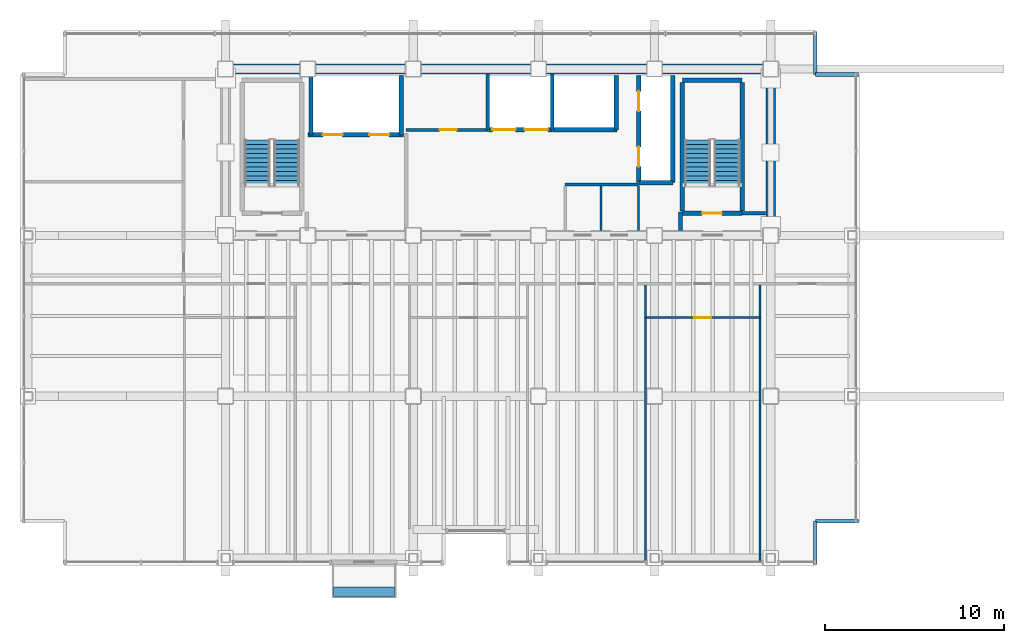
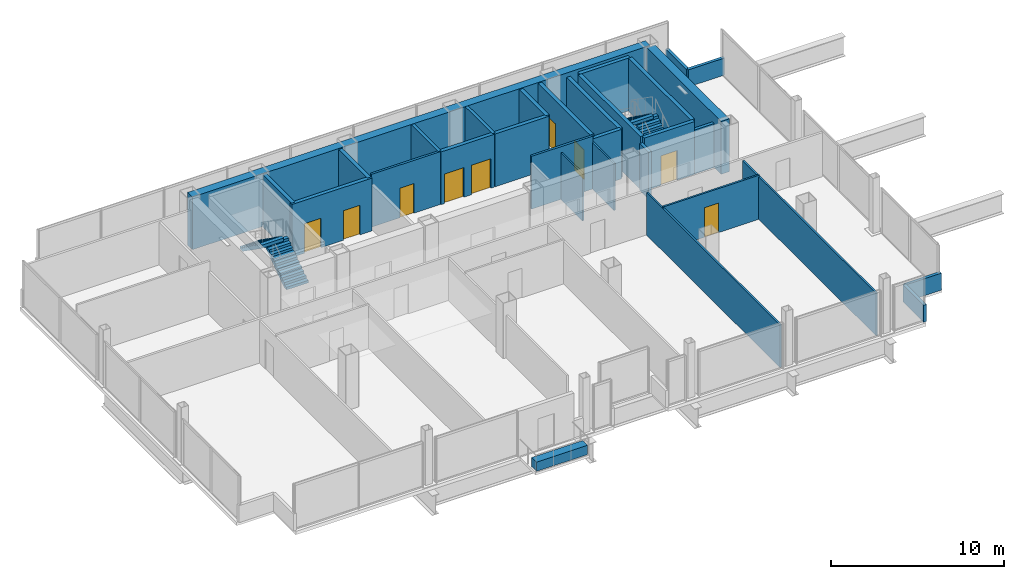
# One storey, part 23 of 24: 30 walls, 9 doors, 4 stair flights, 1 discrete accessory, 9 openings, 2 elements without a shape of their own.
"""IFC4 building model written with IfcOpenShell, lengths in metres."""

from ifc_helpers import new_model, si_unit, direction, frame, frame_2d, origin, origin_2d, place, context, subcontext, project, spatial, polyline, rectangle, outline, extrude, material, layer, layer_set, type_object, element, fill, aggregate, save


model = new_model("IFC4")

# Units and contexts
model_context = context("Model", 3, precision=1e-05, world=origin(), true_north=direction((0.0, 1.0)))
body_context = subcontext(model_context, "Body", "Model", "MODEL_VIEW")
ifc_project = project(units=[si_unit("LENGTHUNIT", "METRE"), si_unit("AREAUNIT", "SQUARE_METRE"), si_unit("VOLUMEUNIT", "CUBIC_METRE"), si_unit("PLANEANGLEUNIT", "RADIAN"), si_unit("MASSUNIT", "GRAM", prefix="KILO")], contexts=[model_context])

# Site, building, storey
site_placement = place(None, origin())
site = spatial("IfcSite", under=ifc_project, at=site_placement, CompositionType="ELEMENT")
building_placement = place(site_placement, origin())
building = spatial("IfcBuilding", under=site, at=building_placement, Name="Noeulbin Bourse Tower", CompositionType="ELEMENT")
storey_placement = place(building_placement, frame((0.0, 0.0, 114.89990234375)))
storey = spatial("IfcBuildingStorey", under=building, at=storey_placement, Name="L28", CompositionType="ELEMENT", Elevation=114.89990234375)

# Walls
ifc_material_1 = material(Name="Concrete C60/75", Category="concrete")
ifc_layer_1 = layer(ifc_material_1, 0.550048828125)
ifc_layer_set_1 = layer_set([ifc_layer_1], Name="Concrete C60/75")
wall_type_1 = type_object("IfcWallType", Name="WAL-CORE-550", PredefinedType="SHEAR", material=ifc_layer_set_1)
wall_1_placement = place(storey_placement, frame((13.5, 38.300048828125, 0.0), z_axis=(0.0, 0.0, 1.0), x_axis=(1.0, 0.0, 0.0)))
element("IfcWall", 1, at=wall_1_placement, inside=storey, type_object=wall_type_1, Name="Rear Core North Shear Wall L28", PredefinedType="SHEAR", context=body_context, shape_type="SweptSolid", body=[
    extrude(rectangle(XDim=30.5, YDim=0.550048828125, at=frame_2d((15.25, 0.0))), origin(), (0.0, 0.0, 1.0), 3.72021484375),
])
wall_2_placement = place(storey_placement, frame((44.0, 29.35009765625, 0.0), z_axis=(0.0, 0.0, 1.0), x_axis=(0.0, 1.0, 0.0)))
element("IfcWall", 2, at=wall_2_placement, inside=storey, type_object=wall_type_1, Name="Rear Core East Shear Wall L28", PredefinedType="SHEAR", context=body_context, shape_type="SweptSolid", body=[
    extrude(rectangle(XDim=8.599853515625, YDim=0.550048828125, at=frame_2d((4.2998046875, 0.0))), origin(), (0.0, 0.0, 1.0), 3.72021484375),
])
ifc_material_2 = material(Name="Concrete C40/50", Category="concrete")
ifc_layer_2 = layer(ifc_material_2, 0.199951171875)
ifc_layer_set_2 = layer_set([ifc_layer_2], Name="Concrete C40/50")
wall_type_2 = type_object("IfcWallType", Name="WAL-FIRE-200", PredefinedType="STANDARD", material=ifc_layer_set_2)
wall_3_placement = place(storey_placement, frame((42.39990234375, 30.239990234375, 0.0), z_axis=(0.0, 0.0, 1.0), x_axis=(1.0, 0.0, 0.0)))
element("IfcWall", 3, at=wall_3_placement, inside=storey, type_object=wall_type_2, Name="Interior Partition Wall L28-01", PredefinedType="STANDARD", context=body_context, shape_type="SweptSolid", body=[
    extrude(rectangle(XDim=1.315185546875, YDim=0.199951171875, at=frame_2d((0.65771484375, 0.0))), origin(), (0.0, 0.0, 1.0), 3.10009765625),
])
wall_4_placement = place(storey_placement, frame((38.949951171875, 29.284912109375, 0.0), z_axis=(0.0, 0.0, 1.0), x_axis=(0.0, 1.0, 0.0)))
element("IfcWall", 4, at=wall_4_placement, inside=storey, type_object=wall_type_2, Name="Interior Partition Wall L28-11", PredefinedType="STANDARD", context=body_context, shape_type="SweptSolid", body=[
    extrude(rectangle(XDim=1.01513671875, YDim=0.199951171875, at=frame_2d((0.507568359375, 0.0))), origin(), (0.0, 0.0, 1.0), 3.300048828125),
])
ifc_layer_3 = layer(ifc_material_2, 0.199951171875)
ifc_layer_set_3 = layer_set([ifc_layer_3], Name="Concrete C40/50")
wall_type_3 = type_object("IfcWallType", Name="WAL-PAR-200", PredefinedType="PARAPET", material=ifc_layer_set_3)
for number, where, z_axis, x_axis, name in (
    (5, (46.5, 10.60009765625, 0.0), (0.0, 0.0, 1.0), (0.0, 1.0, 0.0), "Corner Notch Parapet L28-SE1"),
    (6, (46.5, 13.0, 0.0), (0.0, 0.0, 1.0), (1.0, 0.0, 0.0), "Corner Notch Parapet L28-SE2"),
    (7, (46.5, 40.39990234375, 0.0), (0.0, 0.0, 1.0), (0.0, -1.0, 0.0), "Corner Notch Parapet L28-NE1"),
    (8, (46.5, 38.0, 0.0), (0.0, 0.0, 1.0), (1.0, 0.0, 0.0), "Corner Notch Parapet L28-NE2"),
):
    element("IfcWall", number, at=place(storey_placement, frame(where, z_axis=z_axis, x_axis=x_axis)), inside=storey, type_object=wall_type_3, Name=name, PredefinedType="PARAPET", context=body_context, shape_type="SweptSolid", body=[
        extrude(rectangle(XDim=2.39990234375, YDim=0.199951171875, at=frame_2d((1.199951171875, 0.0))), origin(), (0.0, 0.0, 1.0), 1.2001953125),
    ])

# Wall, opening, door
ifc_material_3 = material(Name="Steel Stud Gypsum Partition", Category="steel")
ifc_layer_4 = layer(ifc_material_3, 0.1201171875)
ifc_layer_set_4 = layer_set([ifc_layer_4], Name="Steel Stud Gypsum Partition")
wall_type_4 = type_object("IfcWallType", Name="WAL-PRT-120", PredefinedType="PARTITIONING", material=ifc_layer_set_4)
wall_5_placement = place(storey_placement, frame((37.0, 24.39990234375, 0.0), z_axis=(0.0, 0.0, 1.0), x_axis=(1.0, 0.0, 0.0)))
wall_5 = element("IfcWall", 9, at=wall_5_placement, inside=storey, type_object=wall_type_4, Name="Interior Partition Wall L28-08", PredefinedType="PARTITIONING", context=body_context, shape_type="SweptSolid", body=[
    extrude(rectangle(XDim=6.39990234375, YDim=0.1201171875, at=frame_2d((3.199951171875, 0.0))), origin(), (0.0, 0.0, 1.0), 3.10009765625),
])
opening_1_placement = place(wall_5_placement, frame((2.72509765625, 0.0, 0.0)))
opening_1 = element("IfcOpeningElement", 10, at=opening_1_placement, cuts=wall_5, Name="Opening ID-09", PredefinedType="OPENING", context=body_context, shape_type="SweptSolid", body=[
    extrude(rectangle(XDim=0.949951171875, YDim=2.080078125, at=frame_2d((0.47509765625, 1.0400390625))), frame((0.0, 0.070068359375, 0.0), z_axis=(0.0, -1.0, 0.0), x_axis=(1.0, 0.0, 0.0)), (0.0, 0.0, 1.0), 0.14013671875),
])
ifc_material_4 = material(Name="Acoustic Solid-Core Timber", Category="wood")
door_type_1 = type_object("IfcDoorType", Name="DR-SINGLE-950", OperationType="SINGLE_SWING_LEFT", PredefinedType="DOOR", material=ifc_material_4)
door_1_placement = place(opening_1_placement, origin())
door_1 = element("IfcDoor", 11, at=door_1_placement, inside=storey, type_object=door_type_1, Name="Interior Door L28-15", OperationType="SINGLE_SWING_LEFT", OverallHeight=2.080078125, OverallWidth=0.949951171875, PredefinedType="DOOR", context=body_context, shape_type="SweptSolid", body=[
    extrude(rectangle(XDim=0.949951171875, YDim=2.080078125, at=frame_2d((0.47509765625, 1.0400390625))), frame((0.0, 0.02490234375, 0.0), z_axis=(0.0, -1.0, 0.0), x_axis=(1.0, 0.0, 0.0)), (0.0, 0.0, 1.0), 0.050048828125),
])
fill(opening_1, door_1)

# Walls
for number, where, z_axis, x_axis, name in (
    (12, (36.60009765625, 29.284912109375, 0.0), (0.0, 0.0, 1.0), (0.0, 1.0, 0.0), "Interior Partition Wall L28-14"),
    (13, (34.5, 29.284912109375, 0.0), (0.0, 0.0, 1.0), (0.0, 1.0, 0.0), "Interior Partition Wall L28-15"),
):
    element("IfcWall", number, at=place(storey_placement, frame(where, z_axis=z_axis, x_axis=x_axis)), inside=storey, type_object=wall_type_4, Name=name, PredefinedType="PARTITIONING", context=body_context, shape_type="SweptSolid", body=[
        extrude(rectangle(XDim=2.47998046875, YDim=0.1201171875, at=frame_2d((1.239990234375, 0.0))), origin(), (0.0, 0.0, 1.0), 3.300048828125),
    ])
for number, where, z_axis, x_axis, name in (
    (14, (37.0, 10.81005859375, 0.0), (0.0, 0.0, 1.0), (0.0, 1.0, 0.0), "Interior Partition Wall L28-21"),
    (15, (43.39990234375, 10.81005859375, 0.0), (0.0, 0.0, 1.0), (0.0, 1.0, 0.0), "Interior Partition Wall L28-22"),
):
    element("IfcWall", number, at=place(storey_placement, frame(where, z_axis=z_axis, x_axis=x_axis)), inside=storey, type_object=wall_type_4, Name=name, PredefinedType="PARTITIONING", context=body_context, shape_type="SweptSolid", body=[
        extrude(rectangle(XDim=15.405029296875, YDim=0.1201171875, at=frame_2d((7.70263671875, 0.0))), origin(), (0.0, 0.0, 1.0), 3.0),
    ])

# Wall, opening, door
ifc_material_5 = material(Name="Steel Stud Acoustic Gypsum Board", Category="steel")
ifc_layer_5 = layer(ifc_material_5, 0.14990234375)
ifc_layer_set_5 = layer_set([ifc_layer_5], Name="Steel Stud Acoustic Gypsum Board")
wall_type_5 = type_object("IfcWallType", Name="WAL-PRT-150", PredefinedType="PARTITIONING", material=ifc_layer_set_5)
wall_6_placement = place(storey_placement, frame((23.60009765625, 34.89990234375, 0.0), z_axis=(0.0, 0.0, 1.0), x_axis=(1.0, 0.0, 0.0)))
wall_6 = element("IfcWall", 16, at=wall_6_placement, inside=storey, type_object=wall_type_5, Name="Interior Partition Wall L28-02", PredefinedType="PARTITIONING", context=body_context, shape_type="SweptSolid", body=[
    extrude(rectangle(XDim=4.579833984375, YDim=0.14990234375, at=frame_2d((2.2900390625, 0.0))), origin(), (0.0, 0.0, 1.0), 3.72021484375),
])
opening_2_placement = place(wall_6_placement, frame((1.875, 0.0, 0.0)))
opening_2 = element("IfcOpeningElement", 17, at=opening_2_placement, cuts=wall_6, Name="Opening ID-09", PredefinedType="OPENING", context=body_context, shape_type="SweptSolid", body=[
    extrude(rectangle(XDim=0.949951171875, YDim=2.080078125, at=frame_2d((0.47509765625, 1.0400390625))), frame((0.0, 0.0849609375, 0.0), z_axis=(0.0, -1.0, 0.0), x_axis=(1.0, 0.0, 0.0)), (0.0, 0.0, 1.0), 0.169921875),
])
door_2_placement = place(opening_2_placement, origin())
door_2 = element("IfcDoor", 18, at=door_2_placement, inside=storey, type_object=door_type_1, Name="Archive Room Door L28", OperationType="SINGLE_SWING_LEFT", OverallHeight=2.080078125, OverallWidth=0.949951171875, PredefinedType="DOOR", context=body_context, shape_type="SweptSolid", body=[
    extrude(rectangle(XDim=0.949951171875, YDim=2.080078125, at=frame_2d((0.47509765625, 1.0400390625))), frame((0.0, 0.02490234375, 0.0), z_axis=(0.0, -1.0, 0.0), x_axis=(1.0, 0.0, 0.0)), (0.0, 0.0, 1.0), 0.050048828125),
])
fill(opening_2, door_2)

# Wall
wall_7_placement = place(storey_placement, frame((32.5, 31.85009765625, 0.0), z_axis=(0.0, 0.0, 1.0), x_axis=(1.0, 0.0, 0.0)))
element("IfcWall", 19, at=wall_7_placement, inside=storey, type_object=wall_type_5, Name="Interior Partition Wall L28-03", PredefinedType="PARTITIONING", context=body_context, shape_type="SweptSolid", body=[
    extrude(rectangle(XDim=4.10009765625, YDim=0.14990234375, at=frame_2d((2.050048828125, 0.0))), origin(), (0.0, 0.0, 1.0), 3.72021484375),
])

# Wall, opening, door
ifc_layer_6 = layer(ifc_material_2, 0.25)
ifc_layer_set_6 = layer_set([ifc_layer_6], Name="Concrete C40/50")
wall_type_6 = type_object("IfcWallType", Name="WAL-SHFT-250", PredefinedType="STANDARD", material=ifc_layer_set_6)
wall_8_placement = place(storey_placement, frame((39.06005859375, 30.235107421875, 0.0), z_axis=(0.0, 0.0, 1.0), x_axis=(1.0, 0.0, 0.0)))
wall_8 = element("IfcWall", 20, at=wall_8_placement, inside=storey, type_object=wall_type_6, Name="Stair ST-2 South Shaft Wall L28", PredefinedType="STANDARD", context=body_context, shape_type="SweptSolid", body=[
    extrude(rectangle(XDim=3.33984375, YDim=0.25, at=frame_2d((1.669921875, 0.0))), origin(), (0.0, 0.0, 1.0), 3.72021484375),
])
opening_3_placement = place(wall_8_placement, frame((1.10009765625, 0.0, 0.0)))
opening_3 = element("IfcOpeningElement", 21, at=opening_3_placement, cuts=wall_8, Name="Opening FD-11", PredefinedType="OPENING", context=body_context, shape_type="SweptSolid", body=[
    extrude(rectangle(XDim=1.10009765625, YDim=2.080078125, at=frame_2d((0.550048828125, 1.0400390625))), frame((0.0, 0.135009765625, 0.0), z_axis=(0.0, -1.0, 0.0), x_axis=(1.0, 0.0, 0.0)), (0.0, 0.0, 1.0), 0.27001953125),
])
ifc_material_6 = material(Name="Fire-Rated Insulated Steel", Category="steel")
door_type_2 = type_object("IfcDoorType", Name="DR-FD60-1100", OperationType="SINGLE_SWING_LEFT", PredefinedType="DOOR", material=ifc_material_6)
door_3_placement = place(opening_3_placement, origin())
door_3 = element("IfcDoor", 22, at=door_3_placement, inside=storey, type_object=door_type_2, Name="Protected Stair Entry Door ST2-L28", OperationType="SINGLE_SWING_RIGHT", OverallHeight=2.080078125, OverallWidth=1.10009765625, PredefinedType="DOOR", context=body_context, shape_type="SweptSolid", body=[
    extrude(rectangle(XDim=1.10009765625, YDim=2.080078125, at=frame_2d((0.550048828125, 1.0400390625))), frame((0.0, 0.02490234375, 0.0), z_axis=(0.0, -1.0, 0.0), x_axis=(1.0, 0.0, 0.0)), (0.0, 0.0, 1.0), 0.050048828125),
])
fill(opening_3, door_3)

# Walls
wall_9_placement = place(storey_placement, frame((39.06005859375, 37.6689453125, 0.0), z_axis=(0.0, 0.0, 1.0), x_axis=(1.0, 0.0, 0.0)))
element("IfcWall", 23, at=wall_9_placement, inside=storey, type_object=wall_type_6, Name="Stair ST-2 North Shaft Wall L28", PredefinedType="STANDARD", context=body_context, shape_type="SweptSolid", body=[
    extrude(rectangle(XDim=3.33984375, YDim=0.25, at=frame_2d((1.669921875, 0.0))), origin(), (0.0, 0.0, 1.0), 3.72021484375),
])
for number, where, z_axis, x_axis, name in (
    (24, (39.054931640625, 30.360107421875, 0.0), (0.0, 0.0, 1.0), (0.0, 1.0, 0.0), "Stair ST-2 West Shaft Wall L28"),
    (25, (42.405029296875, 30.360107421875, 0.0), (0.0, 0.0, 1.0), (0.0, 1.0, 0.0), "Stair ST-2 East Shaft Wall L28"),
):
    element("IfcWall", number, at=place(storey_placement, frame(where, z_axis=z_axis, x_axis=x_axis)), inside=storey, type_object=wall_type_6, Name=name, PredefinedType="STANDARD", context=body_context, shape_type="SweptSolid", body=[
        extrude(rectangle(XDim=7.183837890625, YDim=0.25, at=frame_2d((3.591796875, 0.0))), origin(), (0.0, 0.0, 1.0), 3.72021484375),
    ])

# Wall, openings, doors
wall_10_placement = place(storey_placement, frame((18.10009765625, 34.6201171875, 0.0), z_axis=(0.0, 0.0, 1.0), x_axis=(1.0, 0.0, 0.0)))
wall_10 = element("IfcWall", 26, at=wall_10_placement, inside=storey, type_object=wall_type_6, Name="Firefighting Lift Shaft Front L28", PredefinedType="STANDARD", context=body_context, shape_type="SweptSolid", body=[
    extrude(rectangle(XDim=5.349853515625, YDim=0.25, at=frame_2d((2.6748046875, 0.0))), origin(), (0.0, 0.0, 1.0), 3.72021484375),
])
opening_4_placement = place(wall_10_placement, frame((0.85009765625, 0.0, 0.0)))
opening_4 = element("IfcOpeningElement", 27, at=opening_4_placement, cuts=wall_10, Name="Opening LD-11", PredefinedType="OPENING", context=body_context, shape_type="SweptSolid", body=[
    extrude(rectangle(XDim=1.10009765625, YDim=2.080078125, at=frame_2d((0.550048828125, 1.0400390625))), frame((0.0, 0.135009765625, 0.0), z_axis=(0.0, -1.0, 0.0), x_axis=(1.0, 0.0, 0.0)), (0.0, 0.0, 1.0), 0.27001953125),
])
opening_5_placement = place(wall_10_placement, frame((3.449951171875, 0.0, 0.0)))
opening_5 = element("IfcOpeningElement", 28, at=opening_5_placement, cuts=wall_10, Name="Opening LD-11", PredefinedType="OPENING", context=body_context, shape_type="SweptSolid", body=[
    extrude(rectangle(XDim=1.10009765625, YDim=2.080078125, at=frame_2d((0.550048828125, 1.0400390625))), frame((0.0, 0.135009765625, 0.0), z_axis=(0.0, -1.0, 0.0), x_axis=(1.0, 0.0, 0.0)), (0.0, 0.0, 1.0), 0.27001953125),
])
ifc_material_7 = material(Name="Brushed Stainless Steel 316", Category="steel")
door_type_3 = type_object("IfcDoorType", Name="DR-LIFT-1100", OperationType="SLIDING_TO_LEFT", PredefinedType="DOOR", material=ifc_material_7)
door_4_placement = place(opening_4_placement, origin())
door_4 = element("IfcDoor", 29, at=door_4_placement, inside=storey, type_object=door_type_3, Name="Lift Landing Door LD-FL-01-L28", OperationType="SLIDING_TO_LEFT", OverallHeight=2.080078125, OverallWidth=1.10009765625, PredefinedType="DOOR", context=body_context, shape_type="SweptSolid", body=[
    extrude(rectangle(XDim=1.10009765625, YDim=2.080078125, at=frame_2d((0.550048828125, 1.0400390625))), frame((0.0, 0.02490234375, 0.0), z_axis=(0.0, -1.0, 0.0), x_axis=(1.0, 0.0, 0.0)), (0.0, 0.0, 1.0), 0.050048828125),
])
fill(opening_4, door_4)
door_5_placement = place(opening_5_placement, origin())
door_5 = element("IfcDoor", 30, at=door_5_placement, inside=storey, type_object=door_type_3, Name="Lift Landing Door LD-FL-02-L28", OperationType="SLIDING_TO_LEFT", OverallHeight=2.080078125, OverallWidth=1.10009765625, PredefinedType="DOOR", context=body_context, shape_type="SweptSolid", body=[
    extrude(rectangle(XDim=1.10009765625, YDim=2.080078125, at=frame_2d((0.550048828125, 1.0400390625))), frame((0.0, 0.02490234375, 0.0), z_axis=(0.0, -1.0, 0.0), x_axis=(1.0, 0.0, 0.0)), (0.0, 0.0, 1.0), 0.050048828125),
])
fill(opening_5, door_5)

wall_11_placement = place(storey_placement, frame((36.6201171875, 31.949951171875, 0.0), z_axis=(0.0, 0.0, 1.0), x_axis=(0.0, 1.0, 0.0)))
wall_11 = element("IfcWall", 31, at=wall_11_placement, inside=storey, type_object=wall_type_6, Name="Service Lift Shaft Wall L28", PredefinedType="STANDARD", context=body_context, shape_type="SweptSolid", body=[
    extrude(rectangle(XDim=6.0, YDim=0.25, at=frame_2d((3.0, 0.0))), origin(), (0.0, 0.0, 1.0), 3.72021484375),
])
opening_6_placement = place(wall_11_placement, frame((0.89990234375, 0.0, 0.0)))
opening_6 = element("IfcOpeningElement", 32, at=opening_6_placement, cuts=wall_11, Name="Opening LD-11", PredefinedType="OPENING", context=body_context, shape_type="SweptSolid", body=[
    extrude(rectangle(XDim=1.10009765625, YDim=2.080078125, at=frame_2d((0.550048828125, 1.0400390625))), frame((0.0, 0.135009765625, 0.0), z_axis=(0.0, -1.0, 0.0), x_axis=(1.0, 0.0, 0.0)), (0.0, 0.0, 1.0), 0.27001953125),
])
opening_7_placement = place(wall_11_placement, frame((4.0, 0.0, 0.0)))
opening_7 = element("IfcOpeningElement", 33, at=opening_7_placement, cuts=wall_11, Name="Opening LD-11", PredefinedType="OPENING", context=body_context, shape_type="SweptSolid", body=[
    extrude(rectangle(XDim=1.10009765625, YDim=2.080078125, at=frame_2d((0.550048828125, 1.0400390625))), frame((0.0, 0.135009765625, 0.0), z_axis=(0.0, -1.0, 0.0), x_axis=(1.0, 0.0, 0.0)), (0.0, 0.0, 1.0), 0.27001953125),
])
door_6_placement = place(opening_6_placement, origin())
door_6 = element("IfcDoor", 34, at=door_6_placement, inside=storey, type_object=door_type_3, Name="Lift Landing Door LD-EL-01-L28", OperationType="SLIDING_TO_LEFT", OverallHeight=2.080078125, OverallWidth=1.10009765625, PredefinedType="DOOR", context=body_context, shape_type="SweptSolid", body=[
    extrude(rectangle(XDim=1.10009765625, YDim=2.080078125, at=frame_2d((0.550048828125, 1.0400390625))), frame((0.0, 0.02490234375, 0.0), z_axis=(0.0, -1.0, 0.0), x_axis=(1.0, 0.0, 0.0)), (0.0, 0.0, 1.0), 0.050048828125),
])
fill(opening_6, door_6)
door_7_placement = place(opening_7_placement, origin())
door_7 = element("IfcDoor", 35, at=door_7_placement, inside=storey, type_object=door_type_3, Name="Lift Landing Door LD-SV-01-L28", OperationType="SLIDING_TO_LEFT", OverallHeight=2.080078125, OverallWidth=1.10009765625, PredefinedType="DOOR", context=body_context, shape_type="SweptSolid", body=[
    extrude(rectangle(XDim=1.10009765625, YDim=2.080078125, at=frame_2d((0.550048828125, 1.0400390625))), frame((0.0, 0.02490234375, 0.0), z_axis=(0.0, -1.0, 0.0), x_axis=(1.0, 0.0, 0.0)), (0.0, 0.0, 1.0), 0.050048828125),
])
fill(opening_7, door_7)

# Walls
wall_12_placement = place(storey_placement, frame((38.52001953125, 31.949951171875, 0.0), z_axis=(0.0, 0.0, 1.0), x_axis=(0.0, 1.0, 0.0)))
element("IfcWall", 36, at=wall_12_placement, inside=storey, type_object=wall_type_6, Name="Service Lift East Shaft Wall L28", PredefinedType="STANDARD", context=body_context, shape_type="SweptSolid", body=[
    extrude(rectangle(XDim=6.0, YDim=0.25, at=frame_2d((3.0, 0.0))), origin(), (0.0, 0.0, 1.0), 3.47998046875),
])
wall_13_placement = place(storey_placement, frame((36.6201171875, 31.949951171875, 0.0), z_axis=(0.0, 0.0, 1.0), x_axis=(1.0, 0.0, 0.0)))
element("IfcWall", 37, at=wall_13_placement, inside=storey, type_object=wall_type_6, Name="Service Lift South Shaft Wall L28", PredefinedType="STANDARD", context=body_context, shape_type="SweptSolid", body=[
    extrude(rectangle(XDim=1.89990234375, YDim=0.25, at=frame_2d((0.949951171875, 0.0))), origin(), (0.0, 0.0, 1.0), 3.47998046875),
])
for number, where, z_axis, x_axis, name in (
    (38, (18.280029296875, 34.6201171875, 0.0), (0.0, 0.0, 1.0), (0.0, 1.0, 0.0), "Firefighting Lift West Shaft Wall L28"),
    (39, (23.320068359375, 34.6201171875, 0.0), (0.0, 0.0, 1.0), (0.0, 1.0, 0.0), "Firefighting Lift East Shaft Wall L28"),
):
    element("IfcWall", number, at=place(storey_placement, frame(where, z_axis=z_axis, x_axis=x_axis)), inside=storey, type_object=wall_type_6, Name=name, PredefinedType="STANDARD", context=body_context, shape_type="SweptSolid", body=[
        extrude(rectangle(XDim=3.329833984375, YDim=0.25, at=frame_2d((1.6650390625, 0.0))), origin(), (0.0, 0.0, 1.0), 3.72021484375),
    ])
wall_14_placement = place(storey_placement, frame((35.360107421875, 34.89990234375, 0.0), z_axis=(0.0, 0.0, 1.0), x_axis=(0.0, 1.0, 0.0)))
element("IfcWall", 40, at=wall_14_placement, inside=storey, type_object=wall_type_6, Name="High-Rise Lift East Shaft Wall L28", PredefinedType="STANDARD", context=body_context, shape_type="SweptSolid", body=[
    extrude(rectangle(XDim=3.050048828125, YDim=0.25, at=frame_2d((1.52490234375, 0.0))), origin(), (0.0, 0.0, 1.0), 3.72021484375),
])

# Wall, openings, doors
wall_15_placement = place(storey_placement, frame((28.199951171875, 34.89990234375, 0.0), z_axis=(0.0, 0.0, 1.0), x_axis=(1.0, 0.0, 0.0)))
wall_15 = element("IfcWall", 41, at=wall_15_placement, inside=storey, type_object=wall_type_6, Name="Mid-Rise Lift Bank Front L28", PredefinedType="STANDARD", context=body_context, shape_type="SweptSolid", body=[
    extrude(rectangle(XDim=3.550048828125, YDim=0.25, at=frame_2d((1.77490234375, 0.0))), origin(), (0.0, 0.0, 1.0), 3.72021484375),
])
opening_8_placement = place(wall_15_placement, frame((0.22998046875, 0.0, 0.0)))
opening_8 = element("IfcOpeningElement", 42, at=opening_8_placement, cuts=wall_15, Name="Opening LD-13", PredefinedType="OPENING", context=body_context, shape_type="SweptSolid", body=[
    extrude(rectangle(XDim=1.300048828125, YDim=2.080078125, at=frame_2d((0.64990234375, 1.0400390625))), frame((0.0, 0.135009765625, 0.0), z_axis=(0.0, -1.0, 0.0), x_axis=(1.0, 0.0, 0.0)), (0.0, 0.0, 1.0), 0.27001953125),
])
opening_9_placement = place(wall_15_placement, frame((2.030029296875, 0.0, 0.0)))
opening_9 = element("IfcOpeningElement", 43, at=opening_9_placement, cuts=wall_15, Name="Opening LD-13", PredefinedType="OPENING", context=body_context, shape_type="SweptSolid", body=[
    extrude(rectangle(XDim=1.300048828125, YDim=2.080078125, at=frame_2d((0.64990234375, 1.0400390625))), frame((0.0, 0.135009765625, 0.0), z_axis=(0.0, -1.0, 0.0), x_axis=(1.0, 0.0, 0.0)), (0.0, 0.0, 1.0), 0.27001953125),
])
door_type_4 = type_object("IfcDoorType", Name="DR-LIFT-1300", OperationType="DOUBLE_DOOR_SLIDING", PredefinedType="DOOR", material=ifc_material_7)
door_8_placement = place(opening_8_placement, origin())
door_8 = element("IfcDoor", 44, at=door_8_placement, inside=storey, type_object=door_type_4, Name="Lift Landing Door LD-PL-M1-L28", OperationType="DOUBLE_DOOR_SLIDING", OverallHeight=2.080078125, OverallWidth=1.300048828125, PredefinedType="DOOR", context=body_context, shape_type="SweptSolid", body=[
    extrude(rectangle(XDim=1.300048828125, YDim=2.080078125, at=frame_2d((0.64990234375, 1.0400390625))), frame((0.0, 0.02490234375, 0.0), z_axis=(0.0, -1.0, 0.0), x_axis=(1.0, 0.0, 0.0)), (0.0, 0.0, 1.0), 0.050048828125),
])
fill(opening_8, door_8)
door_9_placement = place(opening_9_placement, origin())
door_9 = element("IfcDoor", 45, at=door_9_placement, inside=storey, type_object=door_type_4, Name="Lift Landing Door LD-PL-M2-L28", OperationType="DOUBLE_DOOR_SLIDING", OverallHeight=2.080078125, OverallWidth=1.300048828125, PredefinedType="DOOR", context=body_context, shape_type="SweptSolid", body=[
    extrude(rectangle(XDim=1.300048828125, YDim=2.080078125, at=frame_2d((0.64990234375, 1.0400390625))), frame((0.0, 0.02490234375, 0.0), z_axis=(0.0, -1.0, 0.0), x_axis=(1.0, 0.0, 0.0)), (0.0, 0.0, 1.0), 0.050048828125),
])
fill(opening_9, door_9)

# Walls
wall_16_placement = place(storey_placement, frame((31.800048828125, 34.89990234375, 0.0), z_axis=(0.0, 0.0, 1.0), x_axis=(1.0, 0.0, 0.0)))
element("IfcWall", 46, at=wall_16_placement, inside=storey, type_object=wall_type_6, Name="High-Rise Lift Bank Front L28", PredefinedType="STANDARD", context=body_context, shape_type="SweptSolid", body=[
    extrude(rectangle(XDim=3.599853515625, YDim=0.25, at=frame_2d((1.7998046875, 0.0))), origin(), (0.0, 0.0, 1.0), 3.72021484375),
])
for number, where, z_axis, x_axis, name in (
    (47, (28.179931640625, 34.89990234375, 0.0), (0.0, 0.0, 1.0), (0.0, 1.0, 0.0), "Hoistway Side Shaft Wall L28-PLMW"),
    (48, (31.780029296875, 34.89990234375, 0.0), (0.0, 0.0, 1.0), (0.0, 1.0, 0.0), "Hoistway Side Shaft Wall L28-PLHW"),
):
    element("IfcWall", number, at=place(storey_placement, frame(where, z_axis=z_axis, x_axis=x_axis)), inside=storey, type_object=wall_type_6, Name=name, PredefinedType="STANDARD", context=body_context, shape_type="SweptSolid", body=[
        extrude(rectangle(XDim=3.1201171875, YDim=0.199951171875, at=frame_2d((1.56005859375, 0.0))), origin(), (0.0, 0.0, 1.0), 3.72021484375),
    ])

# Stair, stair flights
stair_type = type_object("IfcStairType", Name="STR-CORE-1560", PredefinedType="HALF_TURN_STAIR", material=ifc_material_2)
stair_1_placement = place(storey_placement, origin())
stair_1 = element("IfcStair", 49, at=stair_1_placement, inside=storey, type_object=stair_type, Name="L28 ST-1", PredefinedType="HALF_TURN_STAIR")
stair_flight_type = type_object("IfcStairFlightType", Name="SFL-CORE-1560", PredefinedType="STRAIGHT", material=ifc_material_2)
stair_flight_1_placement = place(storey_placement, frame((16.925048828125, 31.81005859375, 0.0), z_axis=(0.0, 0.0, 1.0), x_axis=(0.0, 1.0, 0.0)))
stair_flight_1 = element("IfcStairFlight", 50, at=stair_flight_1_placement, type_object=stair_flight_type, Name="ST-1 flight 1", NumberOfRisers=11, NumberOfTreads=10, PredefinedType="STRAIGHT", RiserHeight=0.177272727, TreadLength=0.252, context=body_context, shape_type="SweptSolid", body=[
    extrude(outline(polyline([(0.0, 0.0), (0.0, 0.17724609375), (0.251953125, 0.17724609375), (0.251953125, 0.3544921875), (0.50390625, 0.3544921875), (0.50390625, 0.53173828125), (0.756103515625, 0.53173828125), (0.756103515625, 0.708984375), (1.008056640625, 0.708984375), (1.008056640625, 0.886474609375), (1.260009765625, 0.886474609375), (1.260009765625, 1.063720703125), (1.511962890625, 1.063720703125), (1.511962890625, 1.240966796875), (1.763916015625, 1.240966796875), (1.763916015625, 1.418212890625), (2.01611328125, 1.418212890625), (2.01611328125, 1.595458984375), (2.26806640625, 1.595458984375), (2.26806640625, 1.772705078125), (2.52001953125, 1.772705078125), (2.52001953125, 1.949951171875), (2.52001953125, 1.552734375), (0.312744140625, 0.0), (0.0, 0.0)])), frame((0.0, 0.72509765625, 0.0), z_axis=(0.0, -1.0, 0.0), x_axis=(1.0, 0.0, 0.0)), (0.0, 0.0, 1.0), 1.449951171875),
])
stair_flight_2_placement = place(storey_placement, frame((15.27490234375, 34.330078125, 1.9501953125), z_axis=(0.0, 0.0, 1.0), x_axis=(0.0, -1.0, 0.0)))
stair_flight_2 = element("IfcStairFlight", 51, at=stair_flight_2_placement, type_object=stair_flight_type, Name="ST-1 flight 2", NumberOfRisers=11, NumberOfTreads=10, PredefinedType="STRAIGHT", RiserHeight=0.177272727, TreadLength=0.252, context=body_context, shape_type="SweptSolid", body=[
    extrude(outline(polyline([(0.0, 0.0), (0.0, 0.17724609375), (0.251953125, 0.17724609375), (0.251953125, 0.3544921875), (0.50390625, 0.3544921875), (0.50390625, 0.53173828125), (0.756103515625, 0.53173828125), (0.756103515625, 0.708984375), (1.008056640625, 0.708984375), (1.008056640625, 0.886474609375), (1.260009765625, 0.886474609375), (1.260009765625, 1.063720703125), (1.511962890625, 1.063720703125), (1.511962890625, 1.240966796875), (1.763916015625, 1.240966796875), (1.763916015625, 1.418212890625), (2.01611328125, 1.418212890625), (2.01611328125, 1.595458984375), (2.26806640625, 1.595458984375), (2.26806640625, 1.772705078125), (2.52001953125, 1.772705078125), (2.52001953125, 1.949951171875), (2.52001953125, 1.552734375), (0.312744140625, 0.0), (0.0, 0.0)])), frame((0.0, 0.72509765625, 0.0), z_axis=(0.0, -1.0, 0.0), x_axis=(1.0, 0.0, 0.0)), (0.0, 0.0, 1.0), 1.449951171875),
])
aggregate(stair_1, [stair_flight_1, stair_flight_2])

stair_2_placement = place(storey_placement, origin())
stair_2 = element("IfcStair", 52, at=stair_2_placement, inside=storey, type_object=stair_type, Name="L28 ST-2", PredefinedType="HALF_TURN_STAIR")
stair_flight_3_placement = place(storey_placement, frame((41.554931640625, 31.81005859375, 0.0), z_axis=(0.0, 0.0, 1.0), x_axis=(0.0, 1.0, 0.0)))
stair_flight_3 = element("IfcStairFlight", 53, at=stair_flight_3_placement, type_object=stair_flight_type, Name="ST-2 flight 1", NumberOfRisers=11, NumberOfTreads=10, PredefinedType="STRAIGHT", RiserHeight=0.177272727, TreadLength=0.252, context=body_context, shape_type="SweptSolid", body=[
    extrude(outline(polyline([(0.0, 0.0), (0.0, 0.17724609375), (0.251953125, 0.17724609375), (0.251953125, 0.3544921875), (0.50390625, 0.3544921875), (0.50390625, 0.53173828125), (0.756103515625, 0.53173828125), (0.756103515625, 0.708984375), (1.008056640625, 0.708984375), (1.008056640625, 0.886474609375), (1.260009765625, 0.886474609375), (1.260009765625, 1.063720703125), (1.511962890625, 1.063720703125), (1.511962890625, 1.240966796875), (1.763916015625, 1.240966796875), (1.763916015625, 1.418212890625), (2.01611328125, 1.418212890625), (2.01611328125, 1.595458984375), (2.26806640625, 1.595458984375), (2.26806640625, 1.772705078125), (2.52001953125, 1.772705078125), (2.52001953125, 1.949951171875), (2.52001953125, 1.552734375), (0.312744140625, 0.0), (0.0, 0.0)])), frame((0.0, 0.72509765625, 0.0), z_axis=(0.0, -1.0, 0.0), x_axis=(1.0, 0.0, 0.0)), (0.0, 0.0, 1.0), 1.449951171875),
])
stair_flight_4_placement = place(storey_placement, frame((39.905029296875, 34.330078125, 1.9501953125), z_axis=(0.0, 0.0, 1.0), x_axis=(0.0, -1.0, 0.0)))
stair_flight_4 = element("IfcStairFlight", 54, at=stair_flight_4_placement, type_object=stair_flight_type, Name="ST-2 flight 2", NumberOfRisers=11, NumberOfTreads=10, PredefinedType="STRAIGHT", RiserHeight=0.177272727, TreadLength=0.252, context=body_context, shape_type="SweptSolid", body=[
    extrude(outline(polyline([(0.0, 0.0), (0.0, 0.17724609375), (0.251953125, 0.17724609375), (0.251953125, 0.3544921875), (0.50390625, 0.3544921875), (0.50390625, 0.53173828125), (0.756103515625, 0.53173828125), (0.756103515625, 0.708984375), (1.008056640625, 0.708984375), (1.008056640625, 0.886474609375), (1.260009765625, 0.886474609375), (1.260009765625, 1.063720703125), (1.511962890625, 1.063720703125), (1.511962890625, 1.240966796875), (1.763916015625, 1.240966796875), (1.763916015625, 1.418212890625), (2.01611328125, 1.418212890625), (2.01611328125, 1.595458984375), (2.26806640625, 1.595458984375), (2.26806640625, 1.772705078125), (2.52001953125, 1.772705078125), (2.52001953125, 1.949951171875), (2.52001953125, 1.552734375), (0.312744140625, 0.0), (0.0, 0.0)])), frame((0.0, 0.72509765625, 0.0), z_axis=(0.0, -1.0, 0.0), x_axis=(1.0, 0.0, 0.0)), (0.0, 0.0, 1.0), 1.449951171875),
])
aggregate(stair_2, [stair_flight_3, stair_flight_4])

# Discrete accessory
ifc_material_8 = material(Name="Architectural GFRC Concrete C40/50", Category="concrete")
ifc_layer_7 = layer(ifc_material_8, 0.64990234375)
ifc_layer_set_7 = layer_set([ifc_layer_7], Name="Architectural GFRC Concrete C40/50")
discrete_accessory_type = type_object("IfcDiscreteAccessoryType", Name="PLANTER-BOX-3600", PredefinedType="USERDEFINED", material=ifc_layer_set_7)
discrete_accessory_placement = place(storey_placement, frame((21.25, 9.06005859375, 0.000244140625), z_axis=(0.0, 0.0, 1.0), x_axis=(1.0, 0.0, 0.0)))
element("IfcDiscreteAccessory", 55, at=discrete_accessory_placement, inside=storey, type_object=discrete_accessory_type, Name="Integrated Balcony Tree Planter Box L28", ObjectType="PLANTER", PredefinedType="USERDEFINED", context=body_context, shape_type="SweptSolid", body=[
    extrude(rectangle(XDim=3.39990234375, YDim=0.550048828125, at=origin_2d()), origin(), (0.0, 0.0, 1.0), 0.64990234375),
])

save(model, "model.ifc")
